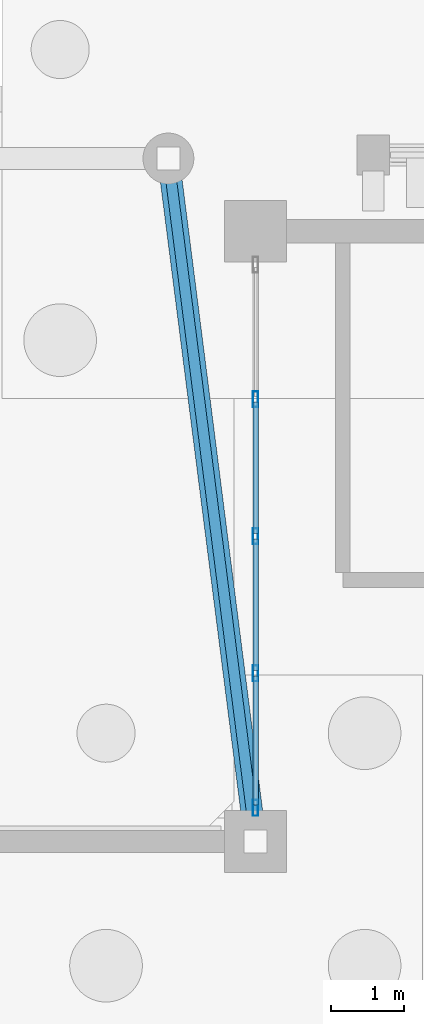
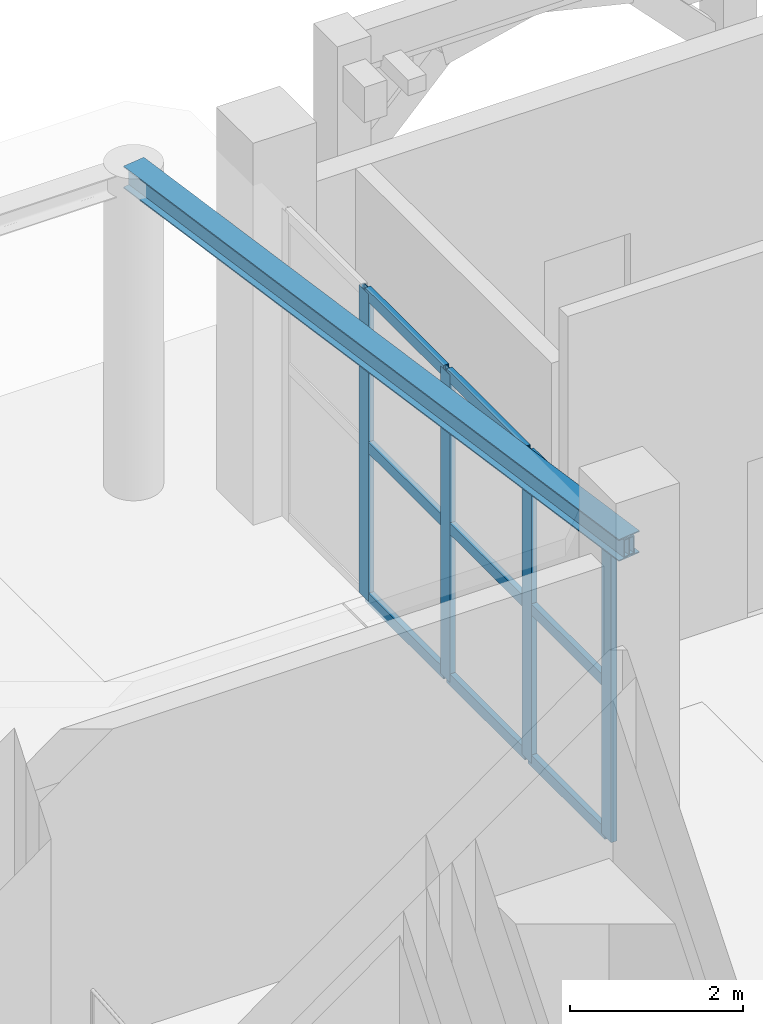
# One storey, part 32 of 98: 14 members, 1 beam, 1 element without a shape of its own.
"""IFC4 building model written with IfcOpenShell, lengths in metres."""

from ifc_helpers import new_model, si_unit, direction, frame, origin, origin_2d, place, context, subcontext, project, spatial, hollow_rectangle, i_section, extrude, material, layer, layer_set, material_profile, profile_set, type_object, element, aggregate, save


model = new_model("IFC4")

# Units and contexts
model_context = context("Model", 3, precision=1e-05, world=origin(), true_north=direction((0.0, 1.0)))
body_context = subcontext(model_context, "Body", "Model", "MODEL_VIEW")
ifc_project = project(units=[si_unit("LENGTHUNIT", "METRE"), si_unit("AREAUNIT", "SQUARE_METRE"), si_unit("VOLUMEUNIT", "CUBIC_METRE"), si_unit("PLANEANGLEUNIT", "RADIAN"), si_unit("MASSUNIT", "GRAM", prefix="KILO")], contexts=[model_context])

# Site, building, storey
site_placement = place(None, origin())
site = spatial("IfcSite", under=ifc_project, at=site_placement, CompositionType="ELEMENT")
building_placement = place(site_placement, origin())
building = spatial("IfcBuilding", under=site, at=building_placement, Name="Xazarin Passage Department Store", CompositionType="ELEMENT")
storey_placement = place(building_placement, origin())
storey = spatial("IfcBuildingStorey", under=building, at=storey_placement, Name="L00", CompositionType="ELEMENT", Elevation=0.0)

# Curtain wall, members
ifc_material_1 = material(Name="Bronze anodised aluminium", Category="aluminium")
ifc_layer = layer(ifc_material_1, 0.179931640625)
ifc_layer_set = layer_set([ifc_layer], Name="Bronze anodised aluminium")
curtain_wall_type = type_object("IfcCurtainWallType", Name="ARC-CW-VIT1", PredefinedType="NOTDEFINED", material=ifc_layer_set)
curtain_wall_placement = place(storey_placement, origin())
curtain_wall = element("IfcCurtainWall", 1, at=curtain_wall_placement, inside=storey, type_object=curtain_wall_type, Name="L00 V1 Curtain Wall 006", PredefinedType="NOTDEFINED")
ifc_material_profile_1 = material_profile(ifc_material_1, hollow_rectangle(XDim=0.074951171875, YDim=0.219970703125, WallThickness=0.0048828125, at=origin_2d()), Name="ALU 75x220")
ifc_profile_set_1 = profile_set([ifc_material_profile_1], Name="Bronze anodised aluminium")
member_type_1 = type_object("IfcMemberType", Name="ARC-CWM-75x220", PredefinedType="MULLION", material=ifc_profile_set_1)
member_1_placement = place(storey_placement, frame((16.800048828125, 102.0625, 0.0), z_axis=(0.0, 0.0, 1.0), x_axis=(-1.0, 0.0, 0.0)))
member_1 = element("IfcMember", 2, at=member_1_placement, type_object=member_type_1, Name="CW1 mullion 1", PredefinedType="MULLION", context=body_context, shape_type="SweptSolid", body=[
    extrude(hollow_rectangle(XDim=0.074951171875, YDim=0.219970703125, WallThickness=0.0048828125, at=origin_2d()), origin(), (0.0, 0.0, 1.0), 4.35009765625),
])
member_2_placement = place(storey_placement, frame((16.800048828125, 103.91259765625, 0.0), z_axis=(0.0, 0.0, 1.0), x_axis=(-1.0, 0.0, 0.0)))
member_2 = element("IfcMember", 3, at=member_2_placement, type_object=member_type_1, Name="CW1 mullion 2", PredefinedType="MULLION", context=body_context, shape_type="SweptSolid", body=[
    extrude(hollow_rectangle(XDim=0.074951171875, YDim=0.219970703125, WallThickness=0.0048828125, at=origin_2d()), origin(), (0.0, 0.0, 1.0), 4.35009765625),
])
member_3_placement = place(storey_placement, frame((16.800048828125, 105.800048828125, 0.0), z_axis=(0.0, 0.0, 1.0), x_axis=(-1.0, 0.0, 0.0)))
member_3 = element("IfcMember", 4, at=member_3_placement, type_object=member_type_1, Name="CW1 mullion 3", PredefinedType="MULLION", context=body_context, shape_type="SweptSolid", body=[
    extrude(hollow_rectangle(XDim=0.074951171875, YDim=0.219970703125, WallThickness=0.0048828125, at=origin_2d()), origin(), (0.0, 0.0, 1.0), 4.35009765625),
])
member_4_placement = place(storey_placement, frame((16.800048828125, 107.6875, 0.0), z_axis=(0.0, 0.0, 1.0), x_axis=(-1.0, 0.0, 0.0)))
member_4 = element("IfcMember", 5, at=member_4_placement, type_object=member_type_1, Name="CW1 mullion 4", PredefinedType="MULLION", context=body_context, shape_type="SweptSolid", body=[
    extrude(hollow_rectangle(XDim=0.074951171875, YDim=0.219970703125, WallThickness=0.0048828125, at=origin_2d()), origin(), (0.0, 0.0, 1.0), 4.35009765625),
])
ifc_material_profile_2 = material_profile(ifc_material_1, hollow_rectangle(XDim=0.074951171875, YDim=0.159912109375, WallThickness=0.00439453125, at=origin_2d()), Name="ALU 75x160")
ifc_profile_set_2 = profile_set([ifc_material_profile_2], Name="Bronze anodised aluminium")
member_type_2 = type_object("IfcMemberType", Name="ARC-CWT-75x160", PredefinedType="USERDEFINED", material=ifc_profile_set_2)
member_5_placement = place(storey_placement, frame((16.800048828125, 102.10009765625, 0.03759765625), z_axis=(0.0, 1.0, 0.0), x_axis=(-1.0, 0.0, 0.0)))
member_5 = element("IfcMember", 6, at=member_5_placement, type_object=member_type_2, Name="CW1 transom 1.1", ObjectType="TRANSOM", PredefinedType="USERDEFINED", context=body_context, shape_type="SweptSolid", body=[
    extrude(hollow_rectangle(XDim=0.074951171875, YDim=0.159912109375, WallThickness=0.00439453125, at=origin_2d()), origin(), (0.0, 0.0, 1.0), 1.77490234375),
])
member_6_placement = place(storey_placement, frame((16.800048828125, 102.10009765625, 2.175048828125), z_axis=(0.0, 1.0, 0.0), x_axis=(-1.0, 0.0, 0.0)))
member_6 = element("IfcMember", 7, at=member_6_placement, type_object=member_type_2, Name="CW1 transom 1.2", ObjectType="TRANSOM", PredefinedType="USERDEFINED", context=body_context, shape_type="SweptSolid", body=[
    extrude(hollow_rectangle(XDim=0.074951171875, YDim=0.159912109375, WallThickness=0.00439453125, at=origin_2d()), origin(), (0.0, 0.0, 1.0), 1.77490234375),
])
member_7_placement = place(storey_placement, frame((16.800048828125, 102.10009765625, 4.3125), z_axis=(0.0, 1.0, 0.0), x_axis=(-1.0, 0.0, 0.0)))
member_7 = element("IfcMember", 8, at=member_7_placement, type_object=member_type_2, Name="CW1 transom 1.3", ObjectType="TRANSOM", PredefinedType="USERDEFINED", context=body_context, shape_type="SweptSolid", body=[
    extrude(hollow_rectangle(XDim=0.074951171875, YDim=0.159912109375, WallThickness=0.00439453125, at=origin_2d()), origin(), (0.0, 0.0, 1.0), 1.77490234375),
])
member_8_placement = place(storey_placement, frame((16.800048828125, 103.949951171875, 0.03759765625), z_axis=(0.0, 1.0, 0.0), x_axis=(-1.0, 0.0, 0.0)))
member_8 = element("IfcMember", 9, at=member_8_placement, type_object=member_type_2, Name="CW1 transom 2.1", ObjectType="TRANSOM", PredefinedType="USERDEFINED", context=body_context, shape_type="SweptSolid", body=[
    extrude(hollow_rectangle(XDim=0.074951171875, YDim=0.159912109375, WallThickness=0.00439453125, at=origin_2d()), origin(), (0.0, 0.0, 1.0), 1.8125),
])
member_9_placement = place(storey_placement, frame((16.800048828125, 103.949951171875, 2.175048828125), z_axis=(0.0, 1.0, 0.0), x_axis=(-1.0, 0.0, 0.0)))
member_9 = element("IfcMember", 10, at=member_9_placement, type_object=member_type_2, Name="CW1 transom 2.2", ObjectType="TRANSOM", PredefinedType="USERDEFINED", context=body_context, shape_type="SweptSolid", body=[
    extrude(hollow_rectangle(XDim=0.074951171875, YDim=0.159912109375, WallThickness=0.00439453125, at=origin_2d()), origin(), (0.0, 0.0, 1.0), 1.8125),
])
member_10_placement = place(storey_placement, frame((16.800048828125, 103.949951171875, 4.3125), z_axis=(0.0, 1.0, 0.0), x_axis=(-1.0, 0.0, 0.0)))
member_10 = element("IfcMember", 11, at=member_10_placement, type_object=member_type_2, Name="CW1 transom 2.3", ObjectType="TRANSOM", PredefinedType="USERDEFINED", context=body_context, shape_type="SweptSolid", body=[
    extrude(hollow_rectangle(XDim=0.074951171875, YDim=0.159912109375, WallThickness=0.00439453125, at=origin_2d()), origin(), (0.0, 0.0, 1.0), 1.8125),
])
member_11_placement = place(storey_placement, frame((16.800048828125, 105.83740234375, 0.03759765625), z_axis=(0.0, 1.0, 0.0), x_axis=(-1.0, 0.0, 0.0)))
member_11 = element("IfcMember", 12, at=member_11_placement, type_object=member_type_2, Name="CW1 transom 3.1", ObjectType="TRANSOM", PredefinedType="USERDEFINED", context=body_context, shape_type="SweptSolid", body=[
    extrude(hollow_rectangle(XDim=0.074951171875, YDim=0.159912109375, WallThickness=0.00439453125, at=origin_2d()), origin(), (0.0, 0.0, 1.0), 1.8125),
])
member_12_placement = place(storey_placement, frame((16.800048828125, 105.83740234375, 2.175048828125), z_axis=(0.0, 1.0, 0.0), x_axis=(-1.0, 0.0, 0.0)))
member_12 = element("IfcMember", 13, at=member_12_placement, type_object=member_type_2, Name="CW1 transom 3.2", ObjectType="TRANSOM", PredefinedType="USERDEFINED", context=body_context, shape_type="SweptSolid", body=[
    extrude(hollow_rectangle(XDim=0.074951171875, YDim=0.159912109375, WallThickness=0.00439453125, at=origin_2d()), origin(), (0.0, 0.0, 1.0), 1.8125),
])
member_13_placement = place(storey_placement, frame((16.800048828125, 105.83740234375, 4.3125), z_axis=(0.0, 1.0, 0.0), x_axis=(-1.0, 0.0, 0.0)))
member_13 = element("IfcMember", 14, at=member_13_placement, type_object=member_type_2, Name="CW1 transom 3.3", ObjectType="TRANSOM", PredefinedType="USERDEFINED", context=body_context, shape_type="SweptSolid", body=[
    extrude(hollow_rectangle(XDim=0.074951171875, YDim=0.159912109375, WallThickness=0.00439453125, at=origin_2d()), origin(), (0.0, 0.0, 1.0), 1.8125),
])
aggregate(curtain_wall, [member_1, member_2, member_3, member_4, member_5, member_6, member_7, member_8, member_9, member_10, member_11, member_12, member_13])

# Beam
ifc_material_2 = material(Name="Steel S355", Category="steel")
ifc_material_profile_3 = material_profile(ifc_material_2, i_section(OverallWidth=0.300048828125, OverallDepth=0.31005859375, WebThickness=0.009033203125, FlangeThickness=0.015380859375, FilletRadius=0.027099609375, at=origin_2d()), Name="HEA 320")
ifc_profile_set_3 = profile_set([ifc_material_profile_3], Name="Steel S355")
beam_type = type_object("IfcBeamType", Name="STR-BM-CAN320", PredefinedType="BEAM", material=ifc_profile_set_3)
beam_placement = place(storey_placement, frame((16.800048828125, 101.60009765625, 4.39501953125), z_axis=(-0.126628111155, 0.991950261588, 0.0), x_axis=(-0.991950261588, -0.126628111155, 0.0)))
element("IfcBeam", 15, at=beam_placement, inside=storey, type_object=beam_type, Name="Entrance Canopy Frame Beam CN1-2", PredefinedType="BEAM", context=body_context, shape_type="SweptSolid", body=[
    extrude(i_section(OverallWidth=0.300048828125, OverallDepth=0.31005859375, WebThickness=0.009033203125, FlangeThickness=0.015380859375, FilletRadius=0.027099609375, at=origin_2d()), origin(), (0.0, 0.0, 1.0), 9.47607421875),
])

# Member
ifc_material_profile_4 = material_profile(ifc_material_2, hollow_rectangle(XDim=0.14990234375, YDim=0.25, WallThickness=0.010009765625, at=origin_2d()), Name="RHS 250x150x10")
ifc_profile_set_4 = profile_set([ifc_material_profile_4], Name="Steel S355")
member_type_3 = type_object("IfcMemberType", Name="STR-MEM-CH250", PredefinedType="CHORD", material=ifc_profile_set_4)
member_14_placement = place(storey_placement, frame((16.800048828125, 101.60009765625, 4.389892578125), z_axis=(-0.126628111155, 0.991950261588, 0.0), x_axis=(-0.991950261588, -0.126628111155, 0.0)))
element("IfcMember", 16, at=member_14_placement, inside=storey, type_object=member_type_3, Name="Entrance Canopy Outrigger Chord CN1-2", PredefinedType="CHORD", context=body_context, shape_type="SweptSolid", body=[
    extrude(hollow_rectangle(XDim=0.14990234375, YDim=0.25, WallThickness=0.010009765625, at=origin_2d()), origin(), (0.0, 0.0, 1.0), 9.47607421875),
])

save(model, "model.ifc")
